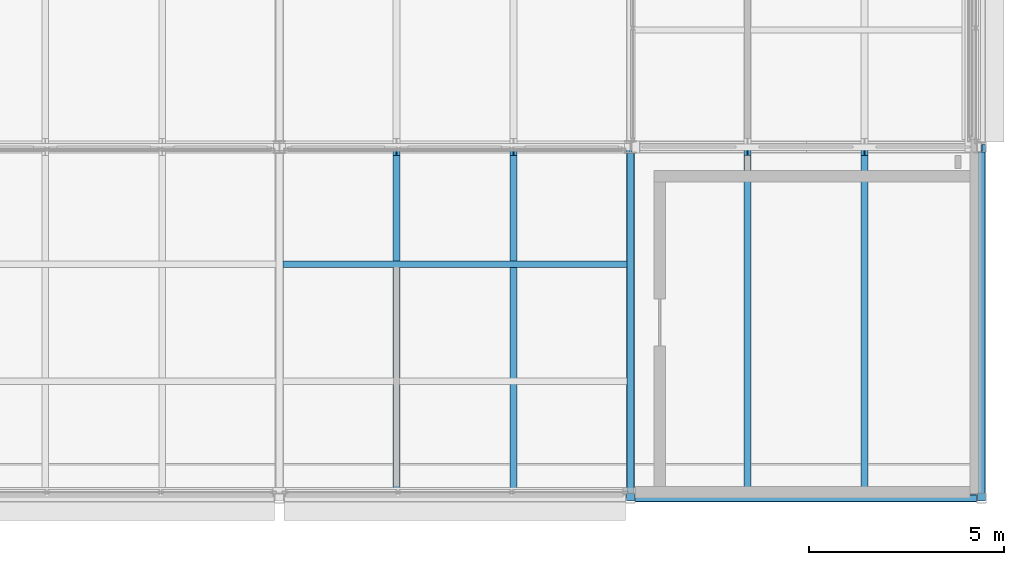
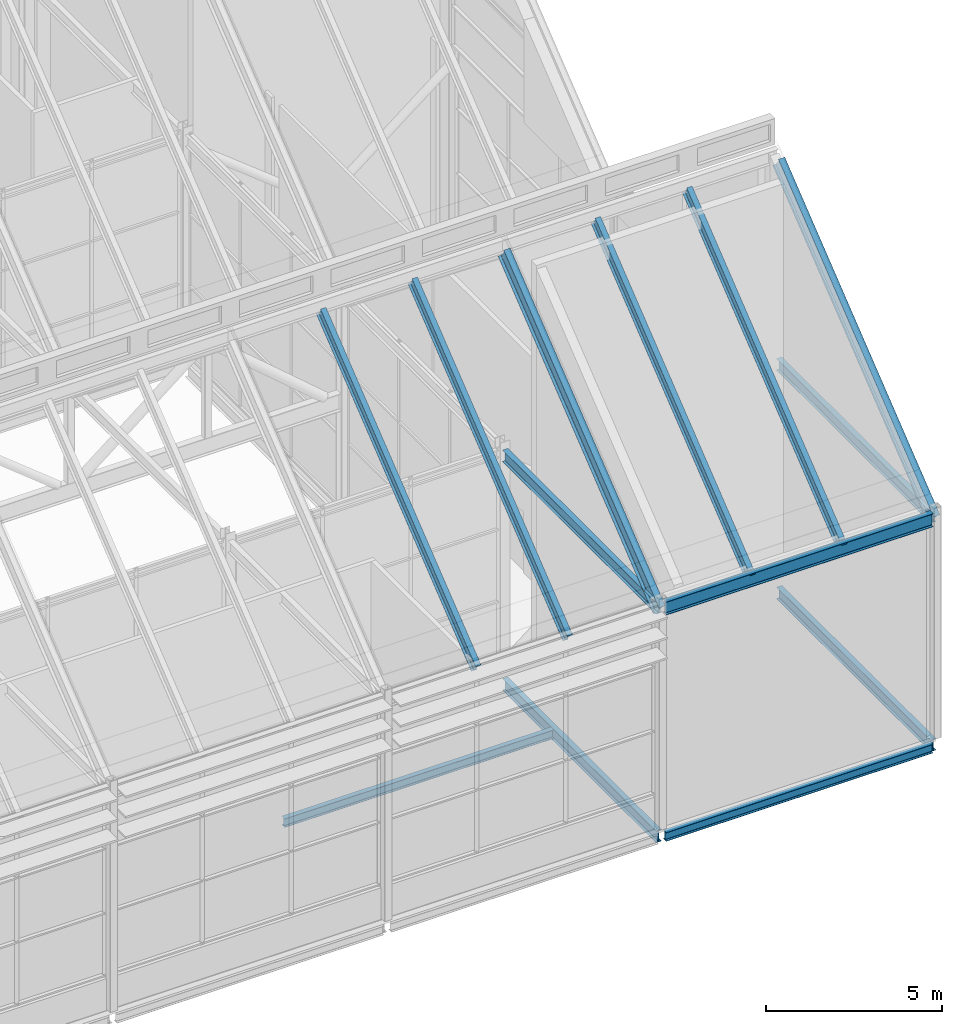
# One storey, part 60 of 144: 7 beams, 6 members.
"""IFC4 building model written with IfcOpenShell, lengths in metres."""

from ifc_helpers import new_model, si_unit, direction, frame, origin, origin_2d, place, context, subcontext, project, spatial, i_section, extrude, material, material_profile, profile_set, type_object, element, save


model = new_model("IFC4")

# Units and contexts
model_context = context("Model", 3, precision=1e-05, world=origin(), true_north=direction((0.0, 1.0)))
body_context = subcontext(model_context, "Body", "Model", "MODEL_VIEW")
ifc_project = project(units=[si_unit("LENGTHUNIT", "METRE"), si_unit("AREAUNIT", "SQUARE_METRE"), si_unit("VOLUMEUNIT", "CUBIC_METRE"), si_unit("PLANEANGLEUNIT", "RADIAN"), si_unit("MASSUNIT", "GRAM", prefix="KILO")], contexts=[model_context])

# Site, building, storey
site_placement = place(None, origin())
site = spatial("IfcSite", under=ifc_project, at=site_placement, CompositionType="ELEMENT")
building_placement = place(site_placement, origin())
building = spatial("IfcBuilding", under=site, at=building_placement, Name="Shorebreak Coast Museum", CompositionType="ELEMENT")
storey_placement = place(building_placement, frame((0.0, 0.0, 36.0)))
storey = spatial("IfcBuildingStorey", under=building, at=storey_placement, Name="L06", CompositionType="ELEMENT", Elevation=36.0)

# Beams
ifc_material_1 = material(Name="Steel Grade 300", Category="steel")
ifc_material_profile_1 = material_profile(ifc_material_1, i_section(OverallWidth=0.166015625, OverallDepth=0.30712890625, WebThickness=0.006591796875, FlangeThickness=0.01171875, FilletRadius=0.011474609375, at=origin_2d()), Name="310UB46.2")
ifc_profile_set_1 = profile_set([ifc_material_profile_1], Name="Steel Grade 300")
beam_type_1 = type_object("IfcBeamType", Name="Floor girder east-west 310UB46.2", PredefinedType="BEAM", material=ifc_profile_set_1)
beam_1_placement = place(storey_placement, frame((108.125, 54.0, -0.32861328125), z_axis=(1.0, 0.0, 0.0), x_axis=(0.0, 1.0, 0.0)))
element("IfcBeam", 1, at=beam_1_placement, inside=storey, type_object=beam_type_1, Name="Floor girder east-west L06 13G", PredefinedType="BEAM", context=body_context, shape_type="SweptSolid", body=[
    extrude(i_section(OverallWidth=0.166015625, OverallDepth=0.30712890625, WebThickness=0.006591796875, FlangeThickness=0.01171875, FilletRadius=0.011474609375, at=origin_2d()), origin(), (0.0, 0.0, 1.0), 8.75),
])
ifc_material_2 = material(Name="Steel Grade 300", Category="steel")
ifc_material_profile_2 = material_profile(ifc_material_2, i_section(OverallWidth=0.177978515625, OverallDepth=0.406494140625, WebThickness=0.0078125, FlangeThickness=0.0126953125, FilletRadius=0.011474609375, at=origin_2d()), Name="410UB59.7")
ifc_profile_set_2 = profile_set([ifc_material_profile_2], Name="Steel Grade 300")
beam_type_2 = type_object("IfcBeamType", Name="Floor girder north-south 410UB59.7", PredefinedType="BEAM", material=ifc_profile_set_2)
beam_2_placement = place(storey_placement, frame((108.0, 54.125, -0.378173828125), z_axis=(0.0, 1.0, 0.0), x_axis=(-1.0, 0.0, 0.0)))
element("IfcBeam", 2, at=beam_2_placement, inside=storey, type_object=beam_type_2, Name="Floor girder north-south L06 13G", PredefinedType="BEAM", context=body_context, shape_type="SweptSolid", body=[
    extrude(i_section(OverallWidth=0.177978515625, OverallDepth=0.406494140625, WebThickness=0.0078125, FlangeThickness=0.0126953125, FilletRadius=0.011474609375, at=origin_2d()), origin(), (0.0, 0.0, 1.0), 8.7177734375),
])
beam_3_placement = place(storey_placement, frame((117.0, 54.125, -0.378173828125), z_axis=(0.0, 1.0, 0.0), x_axis=(-1.0, 0.0, 0.0)))
element("IfcBeam", 3, at=beam_3_placement, inside=storey, type_object=beam_type_2, Name="Floor girder north-south L06 14G", PredefinedType="BEAM", context=body_context, shape_type="SweptSolid", body=[
    extrude(i_section(OverallWidth=0.177978515625, OverallDepth=0.406494140625, WebThickness=0.0078125, FlangeThickness=0.0126953125, FilletRadius=0.011474609375, at=origin_2d()), origin(), (0.0, 0.0, 1.0), 8.75),
])
ifc_material_3 = material(Name="Steel Grade 300", Category="steel")
ifc_material_profile_3 = material_profile(ifc_material_3, i_section(OverallWidth=0.1650390625, OverallDepth=0.303955078125, WebThickness=0.006103515625, FlangeThickness=0.01025390625, FilletRadius=0.011474609375, at=origin_2d()), Name="310UB40.4")
ifc_profile_set_3 = profile_set([ifc_material_profile_3], Name="Steel Grade 300")
beam_type_3 = type_object("IfcBeamType", Name="Floor joist 310UB40.4", PredefinedType="JOIST", material=ifc_profile_set_3)
beam_4_placement = place(storey_placement, frame((99.089111328125, 60.0, -0.326904296875), z_axis=(1.0, 0.0, 0.0), x_axis=(0.0, 1.0, 0.0)))
element("IfcBeam", 4, at=beam_4_placement, inside=storey, type_object=beam_type_3, Name="Floor joist L06 bay 12G at 6000 mm", PredefinedType="JOIST", context=body_context, shape_type="SweptSolid", body=[
    extrude(i_section(OverallWidth=0.1650390625, OverallDepth=0.303955078125, WebThickness=0.006103515625, FlangeThickness=0.01025390625, FilletRadius=0.011474609375, at=origin_2d()), origin(), (0.0, 0.0, 1.0), 8.82177734375),
])

# Members
ifc_material_4 = material(Name="Steel Grade 300", Category="steel")
ifc_material_profile_4 = material_profile(ifc_material_4, i_section(OverallWidth=0.177978515625, OverallDepth=0.402587890625, WebThickness=0.007568359375, FlangeThickness=0.010986328125, FilletRadius=0.011474609375, at=origin_2d()), Name="410UB53.7")
ifc_profile_set_4 = profile_set([ifc_material_profile_4], Name="Steel Grade 300")
member_type_1 = type_object("IfcMemberType", Name="Fold rafter 410UB53.7", PredefinedType="RAFTER", material=ifc_profile_set_4)
for number, where, z_axis, x_axis, name in (
    (5, (102.0, 62.905029296875, 14.610107421875), (0.0, -0.780866698312, -0.624697686459), (1.0, 0.0, 0.0), "Fold rafter FOLD-X line 1 17"),
    (6, (105.0, 62.905029296875, 14.610107421875), (0.0, -0.780866698312, -0.624697686459), (1.0, 0.0, 0.0), "Fold rafter FOLD-X line 1 18"),
    (7, (111.0, 62.905029296875, 14.610107421875), (0.0, -0.780866698312, -0.624697686459), (1.0, 0.0, 0.0), "Fold rafter FOLD-X line 1 20"),
    (8, (114.0, 62.905029296875, 14.610107421875), (0.0, -0.780866698312, -0.624697686459), (1.0, 0.0, 0.0), "Fold rafter FOLD-X line 1 21"),
):
    element("IfcMember", number, at=place(storey_placement, frame(where, z_axis=z_axis, x_axis=x_axis)), inside=storey, type_object=member_type_1, Name=name, PredefinedType="RAFTER", context=body_context, shape_type="SweptSolid", body=[
        extrude(i_section(OverallWidth=0.177978515625, OverallDepth=0.402587890625, WebThickness=0.007568359375, FlangeThickness=0.010986328125, FilletRadius=0.011474609375, at=origin_2d()), origin(), (0.0, 0.0, 1.0), 11.282470703125),
    ])
ifc_material_5 = material(Name="Steel Grade 300", Category="steel")
ifc_material_profile_5 = material_profile(ifc_material_5, i_section(OverallWidth=0.208984375, OverallDepth=0.5283203125, WebThickness=0.009521484375, FlangeThickness=0.01318359375, FilletRadius=0.013916015625, at=origin_2d()), Name="530UB82.0")
ifc_profile_set_5 = profile_set([ifc_material_profile_5], Name="Steel Grade 300")
member_type_2 = type_object("IfcMemberType", Name="Fold rib rafter 530UB82.0", PredefinedType="RAFTER", material=ifc_profile_set_5)
for number, where, z_axis, x_axis, name in (
    (9, (108.0, 62.905029296875, 14.52978515625), (0.0, -0.780866698312, -0.624697686459), (1.0, 0.0, 0.0), "Fold rib rafter FOLD-X line 1 19"),
    (10, (117.0, 62.905029296875, 14.52978515625), (0.0, -0.780866698312, -0.624697686459), (1.0, 0.0, 0.0), "Fold rib rafter FOLD-X line 1 22"),
):
    element("IfcMember", number, at=place(storey_placement, frame(where, z_axis=z_axis, x_axis=x_axis)), inside=storey, type_object=member_type_2, Name=name, PredefinedType="RAFTER", context=body_context, shape_type="SweptSolid", body=[
        extrude(i_section(OverallWidth=0.208984375, OverallDepth=0.5283203125, WebThickness=0.009521484375, FlangeThickness=0.01318359375, FilletRadius=0.013916015625, at=origin_2d()), origin(), (0.0, 0.0, 1.0), 11.282470703125),
    ])

# Beams
ifc_material_6 = material(Name="Steel Grade 300", Category="steel")
ifc_material_profile_6 = material_profile(ifc_material_6, i_section(OverallWidth=0.177978515625, OverallDepth=0.402587890625, WebThickness=0.007568359375, FlangeThickness=0.010986328125, FilletRadius=0.011474609375, at=origin_2d()), Name="410UB53.7")
ifc_profile_set_6 = profile_set([ifc_material_profile_6], Name="Steel Grade 300")
beam_type_4 = type_object("IfcBeamType", Name="Fold rib tie 410UB53.7", PredefinedType="BEAM", material=ifc_profile_set_6)
beam_5_placement = place(storey_placement, frame((108.0, 54.125, 7.54248046875), z_axis=(0.0, 1.0, 0.0), x_axis=(-1.0, 0.0, 0.0)))
element("IfcBeam", 11, at=beam_5_placement, inside=storey, type_object=beam_type_4, Name="Fold rib tie FOLD-X rib 13 G-H", PredefinedType="BEAM", context=body_context, shape_type="SweptSolid", body=[
    extrude(i_section(OverallWidth=0.177978515625, OverallDepth=0.402587890625, WebThickness=0.007568359375, FlangeThickness=0.010986328125, FilletRadius=0.011474609375, at=origin_2d()), origin(), (0.0, 0.0, 1.0), 8.7177734375),
])
beam_6_placement = place(storey_placement, frame((117.0, 54.125, 7.54248046875), z_axis=(0.0, 1.0, 0.0), x_axis=(-1.0, 0.0, 0.0)))
element("IfcBeam", 12, at=beam_6_placement, inside=storey, type_object=beam_type_4, Name="Fold rib tie FOLD-X rib 14 G-H", PredefinedType="BEAM", context=body_context, shape_type="SweptSolid", body=[
    extrude(i_section(OverallWidth=0.177978515625, OverallDepth=0.402587890625, WebThickness=0.007568359375, FlangeThickness=0.010986328125, FilletRadius=0.011474609375, at=origin_2d()), origin(), (0.0, 0.0, 1.0), 8.75),
])
ifc_material_7 = material(Name="Steel Grade 300", Category="steel")
ifc_material_profile_7 = material_profile(ifc_material_7, i_section(OverallWidth=0.18994140625, OverallDepth=0.453857421875, WebThickness=0.008544921875, FlangeThickness=0.0126953125, FilletRadius=0.011474609375, at=origin_2d()), Name="460UB67.1")
ifc_profile_set_7 = profile_set([ifc_material_profile_7], Name="Steel Grade 300")
beam_type_5 = type_object("IfcBeamType", Name="Fold valley girder 460UB67.1", PredefinedType="BEAM", material=ifc_profile_set_7)
beam_7_placement = place(storey_placement, frame((108.125, 54.0, 7.593017578125), z_axis=(1.0, 0.0, 0.0), x_axis=(0.0, 1.0, 0.0)))
element("IfcBeam", 13, at=beam_7_placement, inside=storey, type_object=beam_type_5, Name="Fold valley girder FOLD-X line G bay 13G", PredefinedType="BEAM", context=body_context, shape_type="SweptSolid", body=[
    extrude(i_section(OverallWidth=0.18994140625, OverallDepth=0.453857421875, WebThickness=0.008544921875, FlangeThickness=0.0126953125, FilletRadius=0.011474609375, at=origin_2d()), origin(), (0.0, 0.0, 1.0), 8.75),
])

save(model, "model.ifc")
